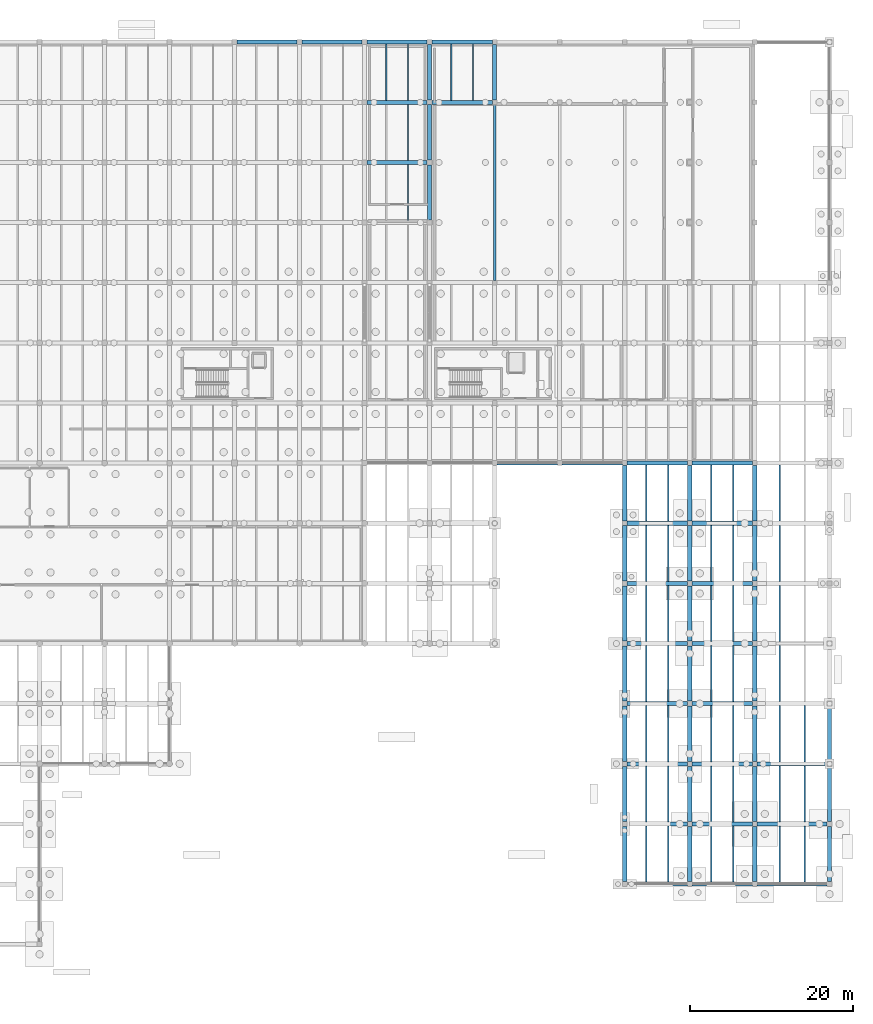
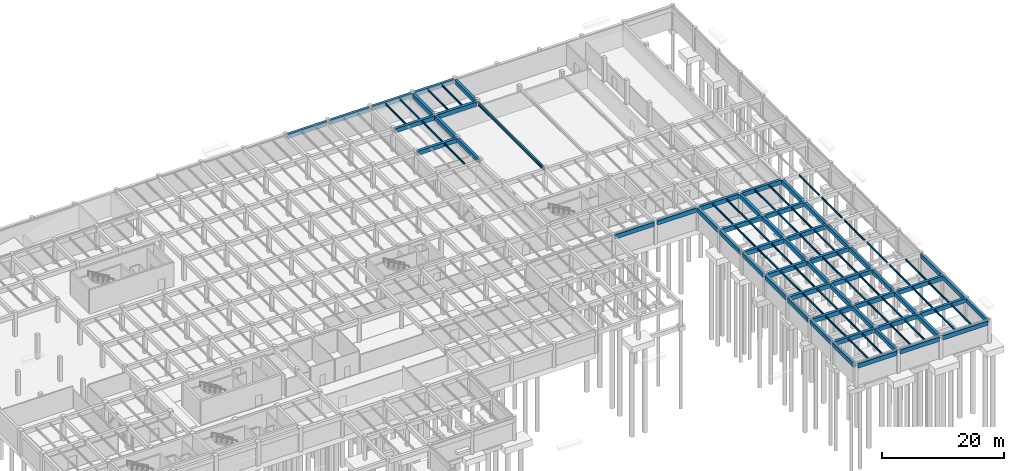
# One storey, part 14 of 40: 101 beams.
"""IFC4 building model written with IfcOpenShell, lengths in metres."""

import ifcopenshell
import ifcopenshell.guid

model = None  # the IFC model being written
_history = None  # IfcOwnerHistory: only IFC2X3 demands one
_inside = {}  # id of a spatial element -> (the spatial element, [elements in it])
_under = {}  # id of a project, library or spatial element -> (it, [spatial elements below it])
_declared = {}  # id of a project -> (the project, [libraries it declares])
_typed = {}  # id of a type object -> (the type object, [elements of that type])
_made_of = {}  # id of a material, layer set ... -> (it, [elements and type objects made of it])


def new_model(schema):
    """Start an empty IFC model of exactly this schema.

    Asked for "IFC4X3", IfcOpenShell would pick the latest addendum, in which some entities
    have other attributes; the version numbers below select the first issue.
    IFC2X3 requires an IfcOwnerHistory on every rooted entity: one is made here for all.
    """
    global model, _history
    if schema == "IFC4X3":
        model = ifcopenshell.file(schema_version=(4, 3, 0, 0))
    else:
        model = ifcopenshell.file(schema=schema)
    _inside.clear()
    _under.clear()
    _declared.clear()
    _typed.clear()
    _made_of.clear()
    _history = None
    if model.schema == "IFC2X3":
        org = make("IfcOrganization", Name="unknown")
        user = make(
            "IfcPersonAndOrganization",
            ThePerson=make("IfcPerson", FamilyName="unknown"),
            TheOrganization=org,
        )
        app = make(
            "IfcApplication",
            ApplicationDeveloper=org,
            Version="unknown",
            ApplicationFullName="unknown",
            ApplicationIdentifier="unknown",
        )
        _history = make(
            "IfcOwnerHistory",
            OwningUser=user,
            OwningApplication=app,
            ChangeAction="ADDED",
            CreationDate=0,
        )
    return model


def make(cls, **values):
    """One entity of the class cls with the attributes given. An attribute that is None is left unset."""
    return model.create_entity(
        cls, **{name: value for name, value in values.items() if value is not None}
    )


def rooted(cls, **values):
    """An entity with a GlobalId (a new one), such as an element, a storey or a relation."""
    return make(cls, GlobalId=ifcopenshell.guid.new(), OwnerHistory=_history, **values)


def si_unit(unit_type, name, prefix=None):
    """IfcSIUnit, for example si_unit("LENGTHUNIT", "METRE", prefix="MILLI")."""
    return make("IfcSIUnit", UnitType=unit_type, Prefix=prefix, Name=name)


def assignment(units):
    """IfcUnitAssignment: the units of a project."""
    return None if units is None else make("IfcUnitAssignment", Units=units)


def point(xyz):
    """IfcCartesianPoint."""
    return None if xyz is None else make("IfcCartesianPoint", Coordinates=xyz)


def direction(xyz):
    """IfcDirection."""
    return None if xyz is None else make("IfcDirection", DirectionRatios=xyz)


def frame(location, z_axis=None, x_axis=None):
    """IfcAxis2Placement3D, a coordinate frame: its origin and axes. An axis left out is left unset."""
    return make(
        "IfcAxis2Placement3D",
        Location=point(location),
        Axis=direction(z_axis),
        RefDirection=direction(x_axis),
    )


def frame_2d(location, x_axis=None):
    """IfcAxis2Placement2D, a coordinate frame in the plane: its origin and x axis."""
    return make(
        "IfcAxis2Placement2D", Location=point(location), RefDirection=direction(x_axis)
    )


def origin():
    """The frame at (0, 0, 0) with its axes left unset."""
    return frame((0.0, 0.0, 0.0))


def origin_2d():
    """The frame at (0, 0) in the plane with its x axis left unset."""
    return frame_2d((0.0, 0.0))


def place(relative_to, where):
    """IfcLocalPlacement: puts the frame where relative to a parent placement (None: the world)."""
    return make(
        "IfcLocalPlacement", PlacementRelTo=relative_to, RelativePlacement=where
    )


def context(
    kind, dimensions, precision=None, world=None, true_north=None, identifier=None
):
    """IfcGeometricRepresentationContext, for example the 3D "Model" context."""
    return make(
        "IfcGeometricRepresentationContext",
        ContextIdentifier=identifier,
        ContextType=kind,
        CoordinateSpaceDimension=dimensions,
        Precision=precision,
        WorldCoordinateSystem=world,
        TrueNorth=true_north,
    )


def subcontext(parent, identifier, kind, view, scale=None):
    """IfcGeometricRepresentationSubContext, for example "Body" below "Model"."""
    return make(
        "IfcGeometricRepresentationSubContext",
        ContextIdentifier=identifier,
        ContextType=kind,
        ParentContext=parent,
        TargetScale=scale,
        TargetView=view,
    )


def project(units=None, contexts=None):
    """IfcProject with its units and contexts."""
    return rooted(
        "IfcProject",
        Name="project",
        RepresentationContexts=contexts,
        UnitsInContext=assignment(units),
    )


def spatial(cls, under=None, at=None, **own):
    """A site, building, storey or space (cls), placed at a placement, below another one or the project."""
    s = rooted(cls, ObjectPlacement=at, **own)
    if under is not None:
        _under.setdefault(under.id(), (under, []))[1].append(s)
    return s


def profile(cls, at=None, kind="AREA", **sizes):
    """A parametric profile (cls). Its sizes go by their IFC names, for example OverallWidth=200.0."""
    return make(cls, ProfileType=kind, Position=at, **sizes)


def rectangle(**sizes):
    """IfcRectangleProfileDef."""
    return profile("IfcRectangleProfileDef", **sizes)


def i_section(**sizes):
    """IfcIShapeProfileDef."""
    return profile("IfcIShapeProfileDef", **sizes)


def extrude(swept, where, along, depth):
    """IfcExtrudedAreaSolid: the profile swept, set in the frame where, extruded along a direction by depth."""
    return make(
        "IfcExtrudedAreaSolid",
        SweptArea=swept,
        Position=where,
        ExtrudedDirection=direction(along),
        Depth=depth,
    )


def shape(context_of_items, identifier, shape_type, items):
    """IfcShapeRepresentation: the items that make up one representation, for example the "Body"."""
    return make(
        "IfcShapeRepresentation",
        ContextOfItems=context_of_items,
        RepresentationIdentifier=identifier,
        RepresentationType=shape_type,
        Items=items,
    )


def material(Name=None, Category=None):
    """IfcMaterial."""
    return make("IfcMaterial", Name=Name, Category=Category)


def material_profile(
    of_material, cross_section, Name=None, Category=None, Priority=None
):
    """IfcMaterialProfile: a cross section and its material."""
    return make(
        "IfcMaterialProfile",
        Name=Name,
        Material=of_material,
        Profile=cross_section,
        Priority=Priority,
        Category=Category,
    )


def profile_set(profiles, Name=None, composite=None):
    """IfcMaterialProfileSet."""
    return make(
        "IfcMaterialProfileSet",
        Name=Name,
        MaterialProfiles=profiles,
        CompositeProfile=composite,
    )


def made_of(thing, what):
    """Note that an element or type object is made of a material, layer set ...; save() writes the relation."""
    if what is not None:
        _made_of.setdefault(what.id(), (what, []))[1].append(thing)
    return thing


def type_object(cls, material=None, **own):
    """A type object (cls), such as IfcWallType, which elements share."""
    return made_of(rooted(cls, **own), material)


def element(
    cls,
    number,
    at=None,
    inside=None,
    cuts=None,
    type_object=None,
    material=None,
    context=None,
    identifier="Body",
    shape_type=None,
    held_by="IfcProductDefinitionShape",
    body=None,
    shapes=None,
    **own,
):
    """One element of the class cls, such as IfcWall. Its Tag is "e" and its number.

    at: its placement. inside: the storey or other place that contains it. cuts: it is an
    opening in that element (IfcRelVoidsElement). A single representation is given by context,
    identifier, shape_type and body (its items); several are given by shapes. held_by: the class
    of the entity that holds the representations. save() writes the other relations.
    """
    e = rooted(cls, Tag="e%d" % number, ObjectPlacement=at, **own)
    if body is not None:
        shapes = [shape(context, identifier, shape_type, body)]
    if shapes is not None:
        e.Representation = make(held_by, Representations=shapes)
    if inside is not None:
        _inside.setdefault(inside.id(), (inside, []))[1].append(e)
    if cuts is not None:
        rooted(
            "IfcRelVoidsElement", RelatingBuildingElement=cuts, RelatedOpeningElement=e
        )
    if type_object is not None:
        _typed.setdefault(type_object.id(), (type_object, []))[1].append(e)
    return made_of(e, material)


def aggregate(whole, parts):
    """IfcRelAggregates: a whole, such as a stair, and the parts it consists of."""
    return rooted("IfcRelAggregates", RelatingObject=whole, RelatedObjects=parts)


def save(model, path):
    """Write the relations noted so far, then the file.

    IfcRelAggregates (storeys below a building ...), IfcRelContainedInSpatialStructure (elements
    in a storey), IfcRelDefinesByType, IfcRelAssociatesMaterial and IfcRelDeclares: one each for
    every whole, place, type object, material and project.
    """
    for whole, parts in _under.values():
        aggregate(whole, parts)
    for where, things in _inside.values():
        rooted(
            "IfcRelContainedInSpatialStructure",
            RelatedElements=things,
            RelatingStructure=where,
        )
    for kind, things in _typed.values():
        rooted("IfcRelDefinesByType", RelatedObjects=things, RelatingType=kind)
    for what, things in _made_of.values():
        rooted("IfcRelAssociatesMaterial", RelatedObjects=things, RelatingMaterial=what)
    for by, libraries in _declared.values():
        rooted("IfcRelDeclares", RelatingContext=by, RelatedDefinitions=libraries)
    model.write(path)


model = new_model("IFC4")

# Units and contexts
model_context = context("Model", 3, precision=1e-05, world=origin(), true_north=direction((0.0, 1.0)))
body_context = subcontext(model_context, "Body", "Model", "MODEL_VIEW")
ifc_project = project(units=[si_unit("LENGTHUNIT", "METRE"), si_unit("AREAUNIT", "SQUARE_METRE"), si_unit("VOLUMEUNIT", "CUBIC_METRE"), si_unit("PLANEANGLEUNIT", "RADIAN"), si_unit("MASSUNIT", "GRAM", prefix="KILO")], contexts=[model_context])

# Site, building, storey
site_placement = place(None, origin())
site = spatial("IfcSite", under=ifc_project, at=site_placement, CompositionType="ELEMENT")
building_placement = place(site_placement, origin())
building = spatial("IfcBuilding", under=site, at=building_placement, Name="Valkorina Park Police Headquarters", CompositionType="ELEMENT")
storey_placement = place(building_placement, frame((0.0, 0.0, -4.800048828125)))
storey = spatial("IfcBuildingStorey", under=building, at=storey_placement, Name="B01", CompositionType="ELEMENT", Elevation=-4.800048828125)

# Beams
ifc_material_1 = material(Name="Concrete C40/50", Category="concrete")
ifc_material_profile_1 = material_profile(ifc_material_1, rectangle(XDim=0.5, YDim=0.85009765625, at=origin_2d()), Name="RC BEAM 500x850")
ifc_profile_set_1 = profile_set([ifc_material_profile_1], Name="Concrete C40/50")
beam_type_1 = type_object("IfcBeamType", Name="BM-RC-500x850-EXT", PredefinedType="SPANDREL", material=ifc_profile_set_1)
for number, where, z_axis, x_axis, name in (
    (1, (137.10009765625, 7.39990234375, 4.074951171875), (1.0, 0.0, 0.0), (0.0, 1.0, 0.0), "B01 Framing Beam 0012"),
    (2, (145.10009765625, 7.39990234375, 4.074951171875), (1.0, 0.0, 0.0), (0.0, 1.0, 0.0), "B01 Framing Beam 0013"),
):
    element("IfcBeam", number, at=place(storey_placement, frame(where, z_axis=z_axis, x_axis=x_axis)), inside=storey, type_object=beam_type_1, Name=name, PredefinedType="SPANDREL", context=body_context, shape_type="SweptSolid", body=[
        extrude(rectangle(XDim=0.5, YDim=0.85009765625, at=origin_2d()), origin(), (0.0, 0.0, 1.0), 7.39990234375),
    ])
beam_1_placement = place(storey_placement, frame((153.10009765625, 7.39990234375, 4.074951171875), z_axis=(1.0, 0.0, 0.0), x_axis=(0.0, 1.0, 0.0)))
element("IfcBeam", 3, at=beam_1_placement, inside=storey, type_object=beam_type_1, Name="B01 Framing Beam 0014", PredefinedType="SPANDREL", context=body_context, shape_type="SweptSolid", body=[
    extrude(rectangle(XDim=0.5, YDim=0.85009765625, at=origin_2d()), origin(), (0.0, 0.0, 1.0), 8.599853515625),
])
for number, where, z_axis, x_axis, name in (
    (4, (121.10009765625, 59.199951171875, 4.074951171875), (1.0, 0.0, 0.0), (0.0, 1.0, 0.0), "B01 Framing Beam 0098"),
    (5, (129.10009765625, 59.199951171875, 4.074951171875), (1.0, 0.0, 0.0), (0.0, 1.0, 0.0), "B01 Framing Beam 0099"),
    (6, (89.10009765625, 111.0, 3.955078125), (1.0, 0.0, 0.0), (0.0, 1.0, 0.0), "B01 Framing Beam 0202"),
    (7, (97.10009765625, 111.0, 3.955078125), (1.0, 0.0, 0.0), (0.0, 1.0, 0.0), "B01 Framing Beam 0203"),
    (8, (105.10009765625, 111.0, 3.955078125), (1.0, 0.0, 0.0), (0.0, 1.0, 0.0), "B01 Framing Beam 0204"),
    (9, (113.10009765625, 111.0, 3.955078125), (1.0, 0.0, 0.0), (0.0, 1.0, 0.0), "B01 Framing Beam 0205"),
):
    element("IfcBeam", number, at=place(storey_placement, frame(where, z_axis=z_axis, x_axis=x_axis)), inside=storey, type_object=beam_type_1, Name=name, PredefinedType="SPANDREL", context=body_context, shape_type="SweptSolid", body=[
        extrude(rectangle(XDim=0.5, YDim=0.85009765625, at=origin_2d()), origin(), (0.0, 0.0, 1.0), 7.39990234375),
    ])
beam_2_placement = place(storey_placement, frame((136.800048828125, 7.699951171875, 4.074951171875), z_axis=(0.0, 1.0, 0.0), x_axis=(-1.0, 0.0, 0.0)))
element("IfcBeam", 10, at=beam_2_placement, inside=storey, type_object=beam_type_1, Name="B01 Framing Beam 0600", PredefinedType="SPANDREL", context=body_context, shape_type="SweptSolid", body=[
    extrude(rectangle(XDim=0.5, YDim=0.85009765625, at=origin_2d()), origin(), (0.0, 0.0, 1.0), 6.800048828125),
])
beam_3_placement = place(storey_placement, frame((136.800048828125, 15.10009765625, 4.074951171875), z_axis=(0.0, 1.0, 0.0), x_axis=(-1.0, 0.0, 0.0)))
element("IfcBeam", 11, at=beam_3_placement, inside=storey, type_object=beam_type_1, Name="B01 Framing Beam 0603", PredefinedType="SPANDREL", context=body_context, shape_type="SweptSolid", body=[
    extrude(rectangle(XDim=0.5, YDim=0.85009765625, at=origin_2d()), origin(), (0.0, 0.0, 1.0), 6.7998046875),
])
for number, where, z_axis, x_axis, name in (
    (12, (136.800048828125, 22.5, 4.074951171875), (0.0, 1.0, 0.0), (-1.0, 0.0, 0.0), "B01 Framing Beam 0606"),
    (13, (136.800048828125, 29.89990234375, 4.074951171875), (0.0, 1.0, 0.0), (-1.0, 0.0, 0.0), "B01 Framing Beam 0609"),
    (14, (136.800048828125, 37.300048828125, 4.074951171875), (0.0, 1.0, 0.0), (-1.0, 0.0, 0.0), "B01 Framing Beam 0612"),
    (15, (136.800048828125, 44.699951171875, 4.074951171875), (0.0, 1.0, 0.0), (-1.0, 0.0, 0.0), "B01 Framing Beam 0615"),
):
    element("IfcBeam", number, at=place(storey_placement, frame(where, z_axis=z_axis, x_axis=x_axis)), inside=storey, type_object=beam_type_1, Name=name, PredefinedType="SPANDREL", context=body_context, shape_type="SweptSolid", body=[
        extrude(rectangle(XDim=0.5, YDim=0.85009765625, at=origin_2d()), origin(), (0.0, 0.0, 1.0), 6.800048828125),
    ])
beam_4_placement = place(storey_placement, frame((136.800048828125, 52.10009765625, 4.074951171875), z_axis=(0.0, 1.0, 0.0), x_axis=(-1.0, 0.0, 0.0)))
element("IfcBeam", 16, at=beam_4_placement, inside=storey, type_object=beam_type_1, Name="B01 Framing Beam 0618", PredefinedType="SPANDREL", context=body_context, shape_type="SweptSolid", body=[
    extrude(rectangle(XDim=0.5, YDim=0.85009765625, at=origin_2d()), origin(), (0.0, 0.0, 1.0), 6.7998046875),
])
beam_5_placement = place(storey_placement, frame((162.0, 7.699951171875, 4.074951171875), z_axis=(0.0, 1.0, 0.0), x_axis=(-1.0, 0.0, 0.0)))
element("IfcBeam", 17, at=beam_5_placement, inside=storey, type_object=beam_type_1, Name="B01 Framing Beam 0661", PredefinedType="SPANDREL", context=body_context, shape_type="SweptSolid", body=[
    extrude(rectangle(XDim=0.5, YDim=0.85009765625, at=origin_2d()), origin(), (0.0, 0.0, 1.0), 6.800048828125),
])
beam_6_placement = place(storey_placement, frame((162.0, 15.10009765625, 4.074951171875), z_axis=(0.0, 1.0, 0.0), x_axis=(-1.0, 0.0, 0.0)))
element("IfcBeam", 18, at=beam_6_placement, inside=storey, type_object=beam_type_1, Name="B01 Framing Beam 0665", PredefinedType="SPANDREL", context=body_context, shape_type="SweptSolid", body=[
    extrude(rectangle(XDim=0.5, YDim=0.85009765625, at=origin_2d()), origin(), (0.0, 0.0, 1.0), 6.7998046875),
])
beam_7_placement = place(storey_placement, frame((162.0, 22.5, 4.074951171875), z_axis=(0.0, 1.0, 0.0), x_axis=(-1.0, 0.0, 0.0)))
element("IfcBeam", 19, at=beam_7_placement, inside=storey, type_object=beam_type_1, Name="B01 Framing Beam 0669", PredefinedType="SPANDREL", context=body_context, shape_type="SweptSolid", body=[
    extrude(rectangle(XDim=0.5, YDim=0.85009765625, at=origin_2d()), origin(), (0.0, 0.0, 1.0), 6.800048828125),
])
ifc_material_profile_2 = material_profile(ifc_material_1, rectangle(XDim=0.5, YDim=0.85009765625, at=origin_2d()), Name="RC BEAM 500x850")
ifc_profile_set_2 = profile_set([ifc_material_profile_2], Name="Concrete C40/50")
beam_type_2 = type_object("IfcBeamType", Name="BM-RC-500x850-INT", PredefinedType="BEAM", material=ifc_profile_set_2)
for number, where, z_axis, x_axis, name in (
    (20, (137.10009765625, 14.800048828125, 4.074951171875), (1.0, 0.0, 0.0), (0.0, 1.0, 0.0), "B01 Framing Beam 0018"),
    (21, (145.10009765625, 14.800048828125, 4.074951171875), (1.0, 0.0, 0.0), (0.0, 1.0, 0.0), "B01 Framing Beam 0019"),
):
    element("IfcBeam", number, at=place(storey_placement, frame(where, z_axis=z_axis, x_axis=x_axis)), inside=storey, type_object=beam_type_2, Name=name, PredefinedType="BEAM", context=body_context, shape_type="SweptSolid", body=[
        extrude(rectangle(XDim=0.5, YDim=0.85009765625, at=origin_2d()), origin(), (0.0, 0.0, 1.0), 7.39990234375),
    ])
beam_8_placement = place(storey_placement, frame((153.10009765625, 14.800048828125, 4.074951171875), z_axis=(1.0, 0.0, 0.0), x_axis=(0.0, 1.0, 0.0)))
element("IfcBeam", 22, at=beam_8_placement, inside=storey, type_object=beam_type_2, Name="B01 Framing Beam 0020", PredefinedType="BEAM", context=body_context, shape_type="SweptSolid", body=[
    extrude(rectangle(XDim=0.5, YDim=0.85009765625, at=origin_2d()), origin(), (0.0, 0.0, 1.0), 8.599853515625),
])
for number, where, z_axis, x_axis, name in (
    (23, (137.10009765625, 22.199951171875, 4.074951171875), (1.0, 0.0, 0.0), (0.0, 1.0, 0.0), "B01 Framing Beam 0031"),
    (24, (145.10009765625, 22.199951171875, 4.074951171875), (1.0, 0.0, 0.0), (0.0, 1.0, 0.0), "B01 Framing Beam 0032"),
):
    element("IfcBeam", number, at=place(storey_placement, frame(where, z_axis=z_axis, x_axis=x_axis)), inside=storey, type_object=beam_type_2, Name=name, PredefinedType="BEAM", context=body_context, shape_type="SweptSolid", body=[
        extrude(rectangle(XDim=0.5, YDim=0.85009765625, at=origin_2d()), origin(), (0.0, 0.0, 1.0), 7.39990234375),
    ])
beam_9_placement = place(storey_placement, frame((153.10009765625, 22.199951171875, 4.074951171875), z_axis=(1.0, 0.0, 0.0), x_axis=(0.0, 1.0, 0.0)))
element("IfcBeam", 25, at=beam_9_placement, inside=storey, type_object=beam_type_2, Name="B01 Framing Beam 0033", PredefinedType="BEAM", context=body_context, shape_type="SweptSolid", body=[
    extrude(rectangle(XDim=0.5, YDim=0.85009765625, at=origin_2d()), origin(), (0.0, 0.0, 1.0), 8.599853515625),
])
for number, where, z_axis, x_axis, name in (
    (26, (137.10009765625, 29.60009765625, 4.074951171875), (1.0, 0.0, 0.0), (0.0, 1.0, 0.0), "B01 Framing Beam 0039"),
    (27, (145.10009765625, 29.60009765625, 4.074951171875), (1.0, 0.0, 0.0), (0.0, 1.0, 0.0), "B01 Framing Beam 0040"),
    (28, (137.10009765625, 37.0, 4.074951171875), (1.0, 0.0, 0.0), (0.0, 1.0, 0.0), "B01 Framing Beam 0056"),
    (29, (145.10009765625, 37.0, 4.074951171875), (1.0, 0.0, 0.0), (0.0, 1.0, 0.0), "B01 Framing Beam 0057"),
    (30, (137.10009765625, 44.39990234375, 4.074951171875), (1.0, 0.0, 0.0), (0.0, 1.0, 0.0), "B01 Framing Beam 0070"),
    (31, (145.10009765625, 44.39990234375, 4.074951171875), (1.0, 0.0, 0.0), (0.0, 1.0, 0.0), "B01 Framing Beam 0071"),
    (32, (137.10009765625, 51.800048828125, 4.074951171875), (1.0, 0.0, 0.0), (0.0, 1.0, 0.0), "B01 Framing Beam 0081"),
    (33, (145.10009765625, 51.800048828125, 4.074951171875), (1.0, 0.0, 0.0), (0.0, 1.0, 0.0), "B01 Framing Beam 0082"),
    (34, (137.10009765625, 59.199951171875, 4.074951171875), (1.0, 0.0, 0.0), (0.0, 1.0, 0.0), "B01 Framing Beam 0100"),
    (35, (145.10009765625, 59.199951171875, 4.074951171875), (1.0, 0.0, 0.0), (0.0, 1.0, 0.0), "B01 Framing Beam 0101"),
    (36, (105.10009765625, 96.199951171875, 3.955078125), (1.0, 0.0, 0.0), (0.0, 1.0, 0.0), "B01 Framing Beam 0175"),
    (37, (105.10009765625, 103.60009765625, 3.955078125), (1.0, 0.0, 0.0), (0.0, 1.0, 0.0), "B01 Framing Beam 0189"),
    (38, (113.10009765625, 103.60009765625, 3.955078125), (1.0, 0.0, 0.0), (0.0, 1.0, 0.0), "B01 Framing Beam 0190"),
):
    element("IfcBeam", number, at=place(storey_placement, frame(where, z_axis=z_axis, x_axis=x_axis)), inside=storey, type_object=beam_type_2, Name=name, PredefinedType="BEAM", context=body_context, shape_type="SweptSolid", body=[
        extrude(rectangle(XDim=0.5, YDim=0.85009765625, at=origin_2d()), origin(), (0.0, 0.0, 1.0), 7.39990234375),
    ])
beam_10_placement = place(storey_placement, frame((112.800048828125, 89.10009765625, 3.955078125), z_axis=(0.0, 1.0, 0.0), x_axis=(-1.0, 0.0, 0.0)))
element("IfcBeam", 39, at=beam_10_placement, inside=storey, type_object=beam_type_2, Name="B01 Framing Beam 0576", PredefinedType="BEAM", context=body_context, shape_type="SweptSolid", body=[
    extrude(rectangle(XDim=0.5, YDim=0.85009765625, at=origin_2d()), origin(), (0.0, 0.0, 1.0), 6.7998046875),
])
for number, where, z_axis, x_axis, name in (
    (40, (112.800048828125, 96.5, 3.955078125), (0.0, 1.0, 0.0), (-1.0, 0.0, 0.0), "B01 Framing Beam 0577"),
    (41, (112.800048828125, 103.89990234375, 3.955078125), (0.0, 1.0, 0.0), (-1.0, 0.0, 0.0), "B01 Framing Beam 0578"),
    (42, (120.800048828125, 103.89990234375, 3.955078125), (0.0, 1.0, 0.0), (-1.0, 0.0, 0.0), "B01 Framing Beam 0590"),
    (43, (144.800048828125, 7.699951171875, 4.074951171875), (0.0, 1.0, 0.0), (-1.0, 0.0, 0.0), "B01 Framing Beam 0630"),
):
    element("IfcBeam", number, at=place(storey_placement, frame(where, z_axis=z_axis, x_axis=x_axis)), inside=storey, type_object=beam_type_2, Name=name, PredefinedType="BEAM", context=body_context, shape_type="SweptSolid", body=[
        extrude(rectangle(XDim=0.5, YDim=0.85009765625, at=origin_2d()), origin(), (0.0, 0.0, 1.0), 6.800048828125),
    ])
beam_11_placement = place(storey_placement, frame((144.800048828125, 15.10009765625, 4.074951171875), z_axis=(0.0, 1.0, 0.0), x_axis=(-1.0, 0.0, 0.0)))
element("IfcBeam", 44, at=beam_11_placement, inside=storey, type_object=beam_type_2, Name="B01 Framing Beam 0633", PredefinedType="BEAM", context=body_context, shape_type="SweptSolid", body=[
    extrude(rectangle(XDim=0.5, YDim=0.85009765625, at=origin_2d()), origin(), (0.0, 0.0, 1.0), 6.7998046875),
])
for number, where, z_axis, x_axis, name in (
    (45, (144.800048828125, 22.5, 4.074951171875), (0.0, 1.0, 0.0), (-1.0, 0.0, 0.0), "B01 Framing Beam 0636"),
    (46, (144.800048828125, 29.89990234375, 4.074951171875), (0.0, 1.0, 0.0), (-1.0, 0.0, 0.0), "B01 Framing Beam 0639"),
    (47, (144.800048828125, 37.300048828125, 4.074951171875), (0.0, 1.0, 0.0), (-1.0, 0.0, 0.0), "B01 Framing Beam 0642"),
    (48, (144.800048828125, 44.699951171875, 4.074951171875), (0.0, 1.0, 0.0), (-1.0, 0.0, 0.0), "B01 Framing Beam 0645"),
):
    element("IfcBeam", number, at=place(storey_placement, frame(where, z_axis=z_axis, x_axis=x_axis)), inside=storey, type_object=beam_type_2, Name=name, PredefinedType="BEAM", context=body_context, shape_type="SweptSolid", body=[
        extrude(rectangle(XDim=0.5, YDim=0.85009765625, at=origin_2d()), origin(), (0.0, 0.0, 1.0), 6.800048828125),
    ])
beam_12_placement = place(storey_placement, frame((144.800048828125, 52.10009765625, 4.074951171875), z_axis=(0.0, 1.0, 0.0), x_axis=(-1.0, 0.0, 0.0)))
element("IfcBeam", 49, at=beam_12_placement, inside=storey, type_object=beam_type_2, Name="B01 Framing Beam 0648", PredefinedType="BEAM", context=body_context, shape_type="SweptSolid", body=[
    extrude(rectangle(XDim=0.5, YDim=0.85009765625, at=origin_2d()), origin(), (0.0, 0.0, 1.0), 6.7998046875),
])
beam_13_placement = place(storey_placement, frame((152.800048828125, 7.699951171875, 4.074951171875), z_axis=(0.0, 1.0, 0.0), x_axis=(-1.0, 0.0, 0.0)))
element("IfcBeam", 50, at=beam_13_placement, inside=storey, type_object=beam_type_2, Name="B01 Framing Beam 0660", PredefinedType="BEAM", context=body_context, shape_type="SweptSolid", body=[
    extrude(rectangle(XDim=0.5, YDim=0.85009765625, at=origin_2d()), origin(), (0.0, 0.0, 1.0), 6.800048828125),
])
beam_14_placement = place(storey_placement, frame((152.800048828125, 15.10009765625, 4.074951171875), z_axis=(0.0, 1.0, 0.0), x_axis=(-1.0, 0.0, 0.0)))
element("IfcBeam", 51, at=beam_14_placement, inside=storey, type_object=beam_type_2, Name="B01 Framing Beam 0664", PredefinedType="BEAM", context=body_context, shape_type="SweptSolid", body=[
    extrude(rectangle(XDim=0.5, YDim=0.85009765625, at=origin_2d()), origin(), (0.0, 0.0, 1.0), 6.7998046875),
])
for number, where, z_axis, x_axis, name in (
    (52, (152.800048828125, 22.5, 4.074951171875), (0.0, 1.0, 0.0), (-1.0, 0.0, 0.0), "B01 Framing Beam 0668"),
    (53, (152.800048828125, 29.89990234375, 4.074951171875), (0.0, 1.0, 0.0), (-1.0, 0.0, 0.0), "B01 Framing Beam 0672"),
    (54, (152.800048828125, 37.300048828125, 4.074951171875), (0.0, 1.0, 0.0), (-1.0, 0.0, 0.0), "B01 Framing Beam 0676"),
    (55, (152.800048828125, 44.699951171875, 4.074951171875), (0.0, 1.0, 0.0), (-1.0, 0.0, 0.0), "B01 Framing Beam 0680"),
):
    element("IfcBeam", number, at=place(storey_placement, frame(where, z_axis=z_axis, x_axis=x_axis)), inside=storey, type_object=beam_type_2, Name=name, PredefinedType="BEAM", context=body_context, shape_type="SweptSolid", body=[
        extrude(rectangle(XDim=0.5, YDim=0.85009765625, at=origin_2d()), origin(), (0.0, 0.0, 1.0), 6.800048828125),
    ])
beam_15_placement = place(storey_placement, frame((152.800048828125, 52.10009765625, 4.074951171875), z_axis=(0.0, 1.0, 0.0), x_axis=(-1.0, 0.0, 0.0)))
element("IfcBeam", 56, at=beam_15_placement, inside=storey, type_object=beam_type_2, Name="B01 Framing Beam 0684", PredefinedType="BEAM", context=body_context, shape_type="SweptSolid", body=[
    extrude(rectangle(XDim=0.5, YDim=0.85009765625, at=origin_2d()), origin(), (0.0, 0.0, 1.0), 6.7998046875),
])
ifc_material_2 = material(Name="Steel S355", Category="steel")
ifc_material_profile_3 = material_profile(ifc_material_2, i_section(OverallWidth=0.300048828125, OverallDepth=0.639892578125, WebThickness=0.013427734375, FlangeThickness=0.02587890625, FilletRadius=0.027099609375, at=origin_2d()), Name="HEA 650")
ifc_profile_set_3 = profile_set([ifc_material_profile_3], Name="Steel S355")
beam_type_3 = type_object("IfcBeamType", Name="BM-S355-HEA650-BM", PredefinedType="BEAM", material=ifc_profile_set_3)
beam_16_placement = place(storey_placement, frame((120.800048828125, 81.699951171875, 4.06005859375), z_axis=(0.0, 1.0, 0.0), x_axis=(-1.0, 0.0, 0.0)))
element("IfcBeam", 57, at=beam_16_placement, inside=storey, type_object=beam_type_3, Name="B01 Firing Range Clear-Span Girder 2858", PredefinedType="BEAM", context=body_context, shape_type="SweptSolid", body=[
    extrude(i_section(OverallWidth=0.300048828125, OverallDepth=0.639892578125, WebThickness=0.013427734375, FlangeThickness=0.02587890625, FilletRadius=0.027099609375, at=origin_2d()), origin(), (0.0, 0.0, 1.0), 21.60009765625),
])
ifc_material_profile_4 = material_profile(ifc_material_2, i_section(OverallWidth=0.169921875, OverallDepth=0.360107421875, WebThickness=0.008056640625, FlangeThickness=0.0126953125, FilletRadius=0.01806640625, at=origin_2d()), Name="IPE 360")
ifc_profile_set_4 = profile_set([ifc_material_profile_4], Name="Steel S355")
beam_type_4 = type_object("IfcBeamType", Name="BM-S355-IPE360-JST", PredefinedType="JOIST", material=ifc_profile_set_4)
beam_17_placement = place(storey_placement, frame((110.13330078125, 89.050048828125, 4.199951171875), z_axis=(0.0, 1.0, 0.0), x_axis=(-1.0, 0.0, 0.0)))
element("IfcBeam", 58, at=beam_17_placement, inside=storey, type_object=beam_type_4, Name="B01 Framing Beam 0552", PredefinedType="JOIST", context=body_context, shape_type="SweptSolid", body=[
    extrude(i_section(OverallWidth=0.169921875, OverallDepth=0.360107421875, WebThickness=0.008056640625, FlangeThickness=0.0126953125, FilletRadius=0.01806640625, at=origin_2d()), origin(), (0.0, 0.0, 1.0), 6.89990234375),
])
beam_18_placement = place(storey_placement, frame((110.13330078125, 96.449951171875, 4.199951171875), z_axis=(0.0, 1.0, 0.0), x_axis=(-1.0, 0.0, 0.0)))
element("IfcBeam", 59, at=beam_18_placement, inside=storey, type_object=beam_type_4, Name="B01 Framing Beam 0555", PredefinedType="JOIST", context=body_context, shape_type="SweptSolid", body=[
    extrude(i_section(OverallWidth=0.169921875, OverallDepth=0.360107421875, WebThickness=0.008056640625, FlangeThickness=0.0126953125, FilletRadius=0.01806640625, at=origin_2d()), origin(), (0.0, 0.0, 1.0), 6.900146484375),
])
for number, where, z_axis, x_axis, name in (
    (60, (107.466796875, 103.85009765625, 4.199951171875), (0.0, 1.0, 0.0), (-1.0, 0.0, 0.0), "B01 Framing Beam 0557"),
    (61, (110.13330078125, 103.85009765625, 4.199951171875), (0.0, 1.0, 0.0), (-1.0, 0.0, 0.0), "B01 Framing Beam 0558"),
    (62, (115.466796875, 103.85009765625, 4.199951171875), (0.0, 1.0, 0.0), (-1.0, 0.0, 0.0), "B01 Framing Beam 0579"),
    (63, (118.13330078125, 103.85009765625, 4.199951171875), (0.0, 1.0, 0.0), (-1.0, 0.0, 0.0), "B01 Framing Beam 0580"),
):
    element("IfcBeam", number, at=place(storey_placement, frame(where, z_axis=z_axis, x_axis=x_axis)), inside=storey, type_object=beam_type_4, Name=name, PredefinedType="JOIST", context=body_context, shape_type="SweptSolid", body=[
        extrude(i_section(OverallWidth=0.169921875, OverallDepth=0.360107421875, WebThickness=0.008056640625, FlangeThickness=0.0126953125, FilletRadius=0.01806640625, at=origin_2d()), origin(), (0.0, 0.0, 1.0), 6.89990234375),
    ])
for number, where, z_axis, x_axis, name in (
    (64, (139.466796875, 7.64990234375, 4.320068359375), (0.0, 1.0, 0.0), (-1.0, 0.0, 0.0), "B01 Framing Beam 0601"),
    (65, (142.13330078125, 7.64990234375, 4.320068359375), (0.0, 1.0, 0.0), (-1.0, 0.0, 0.0), "B01 Framing Beam 0602"),
):
    element("IfcBeam", number, at=place(storey_placement, frame(where, z_axis=z_axis, x_axis=x_axis)), inside=storey, type_object=beam_type_4, Name=name, PredefinedType="JOIST", context=body_context, shape_type="SweptSolid", body=[
        extrude(i_section(OverallWidth=0.169921875, OverallDepth=0.360107421875, WebThickness=0.008056640625, FlangeThickness=0.0126953125, FilletRadius=0.01806640625, at=origin_2d()), origin(), (0.0, 0.0, 1.0), 6.900146484375),
    ])
for number, where, z_axis, x_axis, name in (
    (66, (139.466796875, 15.050048828125, 4.320068359375), (0.0, 1.0, 0.0), (-1.0, 0.0, 0.0), "B01 Framing Beam 0604"),
    (67, (142.13330078125, 15.050048828125, 4.320068359375), (0.0, 1.0, 0.0), (-1.0, 0.0, 0.0), "B01 Framing Beam 0605"),
):
    element("IfcBeam", number, at=place(storey_placement, frame(where, z_axis=z_axis, x_axis=x_axis)), inside=storey, type_object=beam_type_4, Name=name, PredefinedType="JOIST", context=body_context, shape_type="SweptSolid", body=[
        extrude(i_section(OverallWidth=0.169921875, OverallDepth=0.360107421875, WebThickness=0.008056640625, FlangeThickness=0.0126953125, FilletRadius=0.01806640625, at=origin_2d()), origin(), (0.0, 0.0, 1.0), 6.89990234375),
    ])
for number, where, z_axis, x_axis, name in (
    (68, (139.466796875, 22.449951171875, 4.320068359375), (0.0, 1.0, 0.0), (-1.0, 0.0, 0.0), "B01 Framing Beam 0607"),
    (69, (142.13330078125, 22.449951171875, 4.320068359375), (0.0, 1.0, 0.0), (-1.0, 0.0, 0.0), "B01 Framing Beam 0608"),
):
    element("IfcBeam", number, at=place(storey_placement, frame(where, z_axis=z_axis, x_axis=x_axis)), inside=storey, type_object=beam_type_4, Name=name, PredefinedType="JOIST", context=body_context, shape_type="SweptSolid", body=[
        extrude(i_section(OverallWidth=0.169921875, OverallDepth=0.360107421875, WebThickness=0.008056640625, FlangeThickness=0.0126953125, FilletRadius=0.01806640625, at=origin_2d()), origin(), (0.0, 0.0, 1.0), 6.900146484375),
    ])
for number, where, z_axis, x_axis, name in (
    (70, (139.466796875, 29.85009765625, 4.320068359375), (0.0, 1.0, 0.0), (-1.0, 0.0, 0.0), "B01 Framing Beam 0610"),
    (71, (142.13330078125, 29.85009765625, 4.320068359375), (0.0, 1.0, 0.0), (-1.0, 0.0, 0.0), "B01 Framing Beam 0611"),
    (72, (139.466796875, 37.25, 4.320068359375), (0.0, 1.0, 0.0), (-1.0, 0.0, 0.0), "B01 Framing Beam 0613"),
    (73, (142.13330078125, 37.25, 4.320068359375), (0.0, 1.0, 0.0), (-1.0, 0.0, 0.0), "B01 Framing Beam 0614"),
):
    element("IfcBeam", number, at=place(storey_placement, frame(where, z_axis=z_axis, x_axis=x_axis)), inside=storey, type_object=beam_type_4, Name=name, PredefinedType="JOIST", context=body_context, shape_type="SweptSolid", body=[
        extrude(i_section(OverallWidth=0.169921875, OverallDepth=0.360107421875, WebThickness=0.008056640625, FlangeThickness=0.0126953125, FilletRadius=0.01806640625, at=origin_2d()), origin(), (0.0, 0.0, 1.0), 6.89990234375),
    ])
for number, where, z_axis, x_axis, name in (
    (74, (139.466796875, 44.64990234375, 4.320068359375), (0.0, 1.0, 0.0), (-1.0, 0.0, 0.0), "B01 Framing Beam 0616"),
    (75, (142.13330078125, 44.64990234375, 4.320068359375), (0.0, 1.0, 0.0), (-1.0, 0.0, 0.0), "B01 Framing Beam 0617"),
):
    element("IfcBeam", number, at=place(storey_placement, frame(where, z_axis=z_axis, x_axis=x_axis)), inside=storey, type_object=beam_type_4, Name=name, PredefinedType="JOIST", context=body_context, shape_type="SweptSolid", body=[
        extrude(i_section(OverallWidth=0.169921875, OverallDepth=0.360107421875, WebThickness=0.008056640625, FlangeThickness=0.0126953125, FilletRadius=0.01806640625, at=origin_2d()), origin(), (0.0, 0.0, 1.0), 6.900146484375),
    ])
for number, where, z_axis, x_axis, name in (
    (76, (139.466796875, 52.050048828125, 4.320068359375), (0.0, 1.0, 0.0), (-1.0, 0.0, 0.0), "B01 Framing Beam 0619"),
    (77, (142.13330078125, 52.050048828125, 4.320068359375), (0.0, 1.0, 0.0), (-1.0, 0.0, 0.0), "B01 Framing Beam 0620"),
):
    element("IfcBeam", number, at=place(storey_placement, frame(where, z_axis=z_axis, x_axis=x_axis)), inside=storey, type_object=beam_type_4, Name=name, PredefinedType="JOIST", context=body_context, shape_type="SweptSolid", body=[
        extrude(i_section(OverallWidth=0.169921875, OverallDepth=0.360107421875, WebThickness=0.008056640625, FlangeThickness=0.0126953125, FilletRadius=0.01806640625, at=origin_2d()), origin(), (0.0, 0.0, 1.0), 6.89990234375),
    ])
for number, where, z_axis, x_axis, name in (
    (78, (147.466796875, 7.64990234375, 4.320068359375), (0.0, 1.0, 0.0), (-1.0, 0.0, 0.0), "B01 Framing Beam 0631"),
    (79, (150.13330078125, 7.64990234375, 4.320068359375), (0.0, 1.0, 0.0), (-1.0, 0.0, 0.0), "B01 Framing Beam 0632"),
):
    element("IfcBeam", number, at=place(storey_placement, frame(where, z_axis=z_axis, x_axis=x_axis)), inside=storey, type_object=beam_type_4, Name=name, PredefinedType="JOIST", context=body_context, shape_type="SweptSolid", body=[
        extrude(i_section(OverallWidth=0.169921875, OverallDepth=0.360107421875, WebThickness=0.008056640625, FlangeThickness=0.0126953125, FilletRadius=0.01806640625, at=origin_2d()), origin(), (0.0, 0.0, 1.0), 6.900146484375),
    ])
for number, where, z_axis, x_axis, name in (
    (80, (147.466796875, 15.050048828125, 4.320068359375), (0.0, 1.0, 0.0), (-1.0, 0.0, 0.0), "B01 Framing Beam 0634"),
    (81, (150.13330078125, 15.050048828125, 4.320068359375), (0.0, 1.0, 0.0), (-1.0, 0.0, 0.0), "B01 Framing Beam 0635"),
):
    element("IfcBeam", number, at=place(storey_placement, frame(where, z_axis=z_axis, x_axis=x_axis)), inside=storey, type_object=beam_type_4, Name=name, PredefinedType="JOIST", context=body_context, shape_type="SweptSolid", body=[
        extrude(i_section(OverallWidth=0.169921875, OverallDepth=0.360107421875, WebThickness=0.008056640625, FlangeThickness=0.0126953125, FilletRadius=0.01806640625, at=origin_2d()), origin(), (0.0, 0.0, 1.0), 6.89990234375),
    ])
for number, where, z_axis, x_axis, name in (
    (82, (147.466796875, 22.449951171875, 4.320068359375), (0.0, 1.0, 0.0), (-1.0, 0.0, 0.0), "B01 Framing Beam 0637"),
    (83, (150.13330078125, 22.449951171875, 4.320068359375), (0.0, 1.0, 0.0), (-1.0, 0.0, 0.0), "B01 Framing Beam 0638"),
):
    element("IfcBeam", number, at=place(storey_placement, frame(where, z_axis=z_axis, x_axis=x_axis)), inside=storey, type_object=beam_type_4, Name=name, PredefinedType="JOIST", context=body_context, shape_type="SweptSolid", body=[
        extrude(i_section(OverallWidth=0.169921875, OverallDepth=0.360107421875, WebThickness=0.008056640625, FlangeThickness=0.0126953125, FilletRadius=0.01806640625, at=origin_2d()), origin(), (0.0, 0.0, 1.0), 6.900146484375),
    ])
for number, where, z_axis, x_axis, name in (
    (84, (147.466796875, 29.85009765625, 4.320068359375), (0.0, 1.0, 0.0), (-1.0, 0.0, 0.0), "B01 Framing Beam 0640"),
    (85, (150.13330078125, 29.85009765625, 4.320068359375), (0.0, 1.0, 0.0), (-1.0, 0.0, 0.0), "B01 Framing Beam 0641"),
    (86, (147.466796875, 37.25, 4.320068359375), (0.0, 1.0, 0.0), (-1.0, 0.0, 0.0), "B01 Framing Beam 0643"),
    (87, (150.13330078125, 37.25, 4.320068359375), (0.0, 1.0, 0.0), (-1.0, 0.0, 0.0), "B01 Framing Beam 0644"),
):
    element("IfcBeam", number, at=place(storey_placement, frame(where, z_axis=z_axis, x_axis=x_axis)), inside=storey, type_object=beam_type_4, Name=name, PredefinedType="JOIST", context=body_context, shape_type="SweptSolid", body=[
        extrude(i_section(OverallWidth=0.169921875, OverallDepth=0.360107421875, WebThickness=0.008056640625, FlangeThickness=0.0126953125, FilletRadius=0.01806640625, at=origin_2d()), origin(), (0.0, 0.0, 1.0), 6.89990234375),
    ])
for number, where, z_axis, x_axis, name in (
    (88, (147.466796875, 44.64990234375, 4.320068359375), (0.0, 1.0, 0.0), (-1.0, 0.0, 0.0), "B01 Framing Beam 0646"),
    (89, (150.13330078125, 44.64990234375, 4.320068359375), (0.0, 1.0, 0.0), (-1.0, 0.0, 0.0), "B01 Framing Beam 0647"),
):
    element("IfcBeam", number, at=place(storey_placement, frame(where, z_axis=z_axis, x_axis=x_axis)), inside=storey, type_object=beam_type_4, Name=name, PredefinedType="JOIST", context=body_context, shape_type="SweptSolid", body=[
        extrude(i_section(OverallWidth=0.169921875, OverallDepth=0.360107421875, WebThickness=0.008056640625, FlangeThickness=0.0126953125, FilletRadius=0.01806640625, at=origin_2d()), origin(), (0.0, 0.0, 1.0), 6.900146484375),
    ])
for number, where, z_axis, x_axis, name in (
    (90, (147.466796875, 52.050048828125, 4.320068359375), (0.0, 1.0, 0.0), (-1.0, 0.0, 0.0), "B01 Framing Beam 0649"),
    (91, (150.13330078125, 52.050048828125, 4.320068359375), (0.0, 1.0, 0.0), (-1.0, 0.0, 0.0), "B01 Framing Beam 0650"),
):
    element("IfcBeam", number, at=place(storey_placement, frame(where, z_axis=z_axis, x_axis=x_axis)), inside=storey, type_object=beam_type_4, Name=name, PredefinedType="JOIST", context=body_context, shape_type="SweptSolid", body=[
        extrude(i_section(OverallWidth=0.169921875, OverallDepth=0.360107421875, WebThickness=0.008056640625, FlangeThickness=0.0126953125, FilletRadius=0.01806640625, at=origin_2d()), origin(), (0.0, 0.0, 1.0), 6.89990234375),
    ])
for number, where, z_axis, x_axis, name in (
    (92, (155.86669921875, 7.64990234375, 4.320068359375), (0.0, 1.0, 0.0), (-1.0, 0.0, 0.0), "B01 Framing Beam 0662"),
    (93, (158.933349609375, 7.64990234375, 4.320068359375), (0.0, 1.0, 0.0), (-1.0, 0.0, 0.0), "B01 Framing Beam 0663"),
):
    element("IfcBeam", number, at=place(storey_placement, frame(where, z_axis=z_axis, x_axis=x_axis)), inside=storey, type_object=beam_type_4, Name=name, PredefinedType="JOIST", context=body_context, shape_type="SweptSolid", body=[
        extrude(i_section(OverallWidth=0.169921875, OverallDepth=0.360107421875, WebThickness=0.008056640625, FlangeThickness=0.0126953125, FilletRadius=0.01806640625, at=origin_2d()), origin(), (0.0, 0.0, 1.0), 6.900146484375),
    ])
for number, where, z_axis, x_axis, name in (
    (94, (155.86669921875, 15.050048828125, 4.320068359375), (0.0, 1.0, 0.0), (-1.0, 0.0, 0.0), "B01 Framing Beam 0666"),
    (95, (158.933349609375, 15.050048828125, 4.320068359375), (0.0, 1.0, 0.0), (-1.0, 0.0, 0.0), "B01 Framing Beam 0667"),
):
    element("IfcBeam", number, at=place(storey_placement, frame(where, z_axis=z_axis, x_axis=x_axis)), inside=storey, type_object=beam_type_4, Name=name, PredefinedType="JOIST", context=body_context, shape_type="SweptSolid", body=[
        extrude(i_section(OverallWidth=0.169921875, OverallDepth=0.360107421875, WebThickness=0.008056640625, FlangeThickness=0.0126953125, FilletRadius=0.01806640625, at=origin_2d()), origin(), (0.0, 0.0, 1.0), 6.89990234375),
    ])
for number, where, z_axis, x_axis, name in (
    (96, (155.86669921875, 22.449951171875, 4.320068359375), (0.0, 1.0, 0.0), (-1.0, 0.0, 0.0), "B01 Framing Beam 0670"),
    (97, (158.933349609375, 22.449951171875, 4.320068359375), (0.0, 1.0, 0.0), (-1.0, 0.0, 0.0), "B01 Framing Beam 0671"),
):
    element("IfcBeam", number, at=place(storey_placement, frame(where, z_axis=z_axis, x_axis=x_axis)), inside=storey, type_object=beam_type_4, Name=name, PredefinedType="JOIST", context=body_context, shape_type="SweptSolid", body=[
        extrude(i_section(OverallWidth=0.169921875, OverallDepth=0.360107421875, WebThickness=0.008056640625, FlangeThickness=0.0126953125, FilletRadius=0.01806640625, at=origin_2d()), origin(), (0.0, 0.0, 1.0), 6.900146484375),
    ])
for number, where, z_axis, x_axis, name in (
    (98, (155.86669921875, 29.85009765625, 4.320068359375), (0.0, 1.0, 0.0), (-1.0, 0.0, 0.0), "B01 Framing Beam 0674"),
    (99, (155.86669921875, 37.25, 4.320068359375), (0.0, 1.0, 0.0), (-1.0, 0.0, 0.0), "B01 Framing Beam 0678"),
):
    element("IfcBeam", number, at=place(storey_placement, frame(where, z_axis=z_axis, x_axis=x_axis)), inside=storey, type_object=beam_type_4, Name=name, PredefinedType="JOIST", context=body_context, shape_type="SweptSolid", body=[
        extrude(i_section(OverallWidth=0.169921875, OverallDepth=0.360107421875, WebThickness=0.008056640625, FlangeThickness=0.0126953125, FilletRadius=0.01806640625, at=origin_2d()), origin(), (0.0, 0.0, 1.0), 6.89990234375),
    ])
beam_19_placement = place(storey_placement, frame((155.86669921875, 44.64990234375, 4.320068359375), z_axis=(0.0, 1.0, 0.0), x_axis=(-1.0, 0.0, 0.0)))
element("IfcBeam", 100, at=beam_19_placement, inside=storey, type_object=beam_type_4, Name="B01 Framing Beam 0682", PredefinedType="JOIST", context=body_context, shape_type="SweptSolid", body=[
    extrude(i_section(OverallWidth=0.169921875, OverallDepth=0.360107421875, WebThickness=0.008056640625, FlangeThickness=0.0126953125, FilletRadius=0.01806640625, at=origin_2d()), origin(), (0.0, 0.0, 1.0), 6.900146484375),
])
beam_20_placement = place(storey_placement, frame((155.86669921875, 52.050048828125, 4.320068359375), z_axis=(0.0, 1.0, 0.0), x_axis=(-1.0, 0.0, 0.0)))
element("IfcBeam", 101, at=beam_20_placement, inside=storey, type_object=beam_type_4, Name="B01 Framing Beam 0686", PredefinedType="JOIST", context=body_context, shape_type="SweptSolid", body=[
    extrude(i_section(OverallWidth=0.169921875, OverallDepth=0.360107421875, WebThickness=0.008056640625, FlangeThickness=0.0126953125, FilletRadius=0.01806640625, at=origin_2d()), origin(), (0.0, 0.0, 1.0), 6.89990234375),
])

save(model, "model.ifc")
